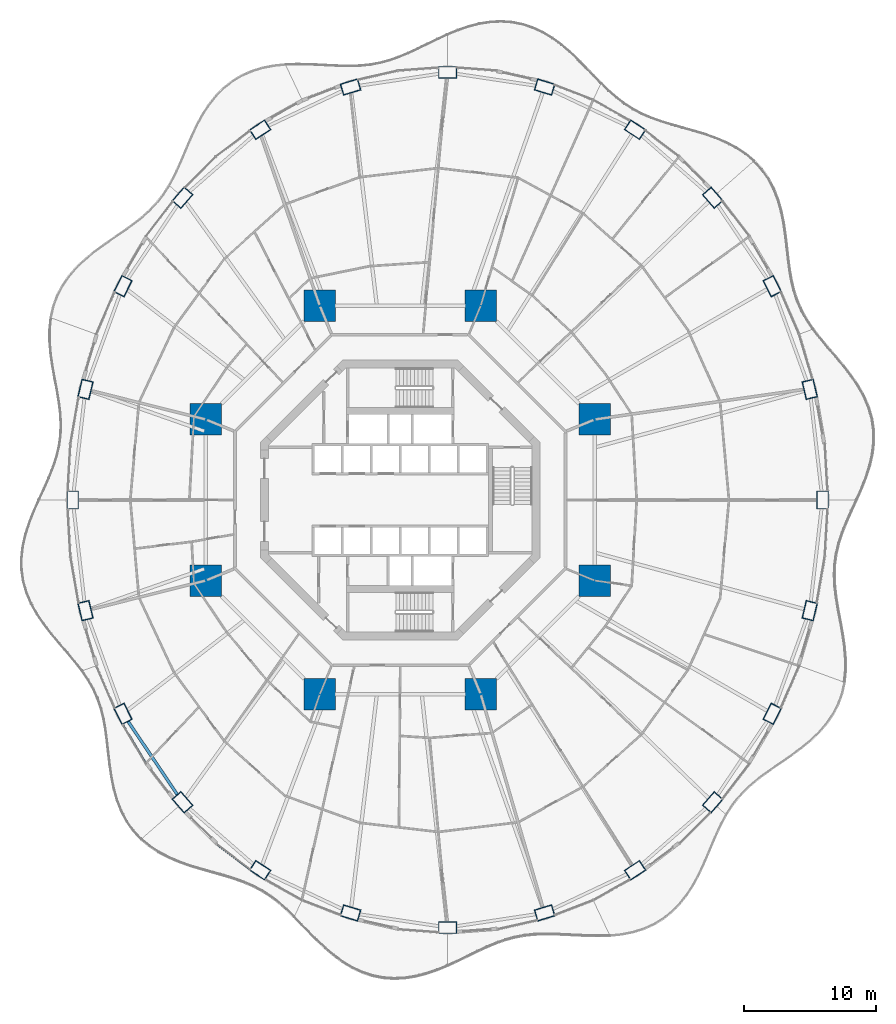
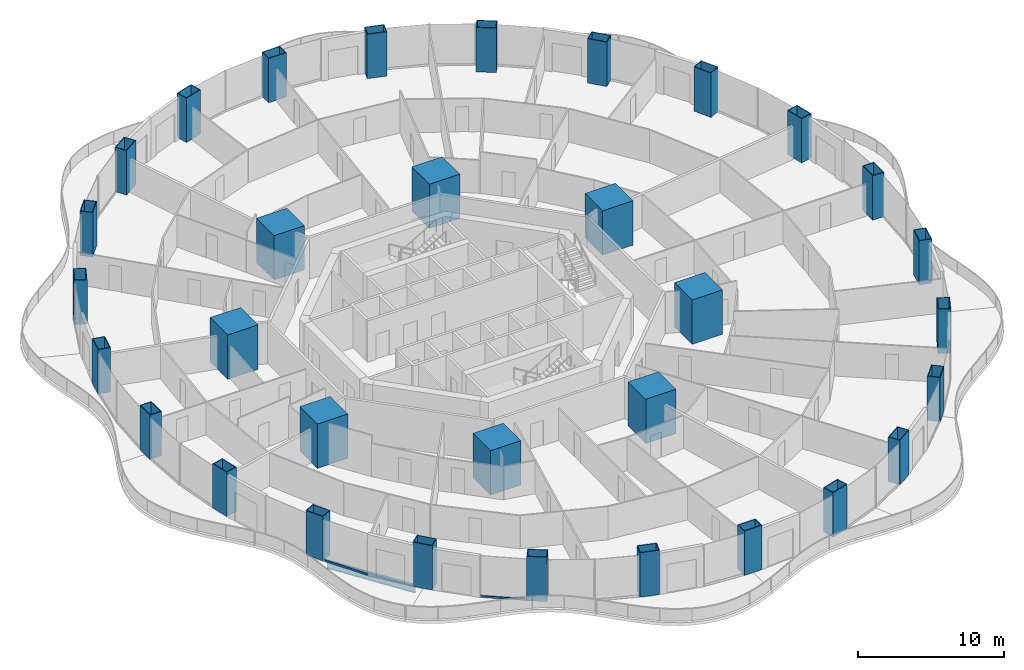
# One storey, part 1 of 22: 32 columns, 2 members, 1 beam, 2 elements without a shape of their own.
"""IFC4 building model written with IfcOpenShell, lengths in metres."""

from ifc_helpers import new_model, si_unit, direction, frame, origin, origin_2d, place, context, subcontext, project, spatial, rectangle, hollow_rectangle, i_section, extrude, material, layer, layer_set, material_profile, profile_set, type_object, element, aggregate, save


model = new_model("IFC4")

# Units and contexts
model_context = context("Model", 3, precision=1e-05, world=origin(), true_north=direction((0.0, 1.0)))
body_context = subcontext(model_context, "Body", "Model", "MODEL_VIEW")
ifc_project = project(units=[si_unit("LENGTHUNIT", "METRE"), si_unit("AREAUNIT", "SQUARE_METRE"), si_unit("VOLUMEUNIT", "CUBIC_METRE"), si_unit("PLANEANGLEUNIT", "RADIAN"), si_unit("MASSUNIT", "GRAM", prefix="KILO")], contexts=[model_context])

# Site, building, storey
site_placement = place(None, origin())
site = spatial("IfcSite", under=ifc_project, at=site_placement, CompositionType="ELEMENT")
building_placement = place(site_placement, origin())
building = spatial("IfcBuilding", under=site, at=building_placement, Name="Nagisa Residences", CompositionType="ELEMENT")
storey_placement = place(building_placement, frame((0.0, 0.0, 49.199951171875)))
storey = spatial("IfcBuildingStorey", under=building, at=storey_placement, Name="L11", CompositionType="ELEMENT", Elevation=49.199951171875)

# Columns
ifc_material_1 = material(Name="Concrete C80", Category="concrete")
ifc_material_profile_1 = material_profile(ifc_material_1, rectangle(XDim=2.39990234375, YDim=2.39990234375, at=origin_2d()), Name="C80 2400x2400")
ifc_profile_set_1 = profile_set([ifc_material_profile_1], Name="Concrete C80")
column_type_1 = type_object("IfcColumnType", Name="Inner megacolumn C80 2400x2400", PredefinedType="COLUMN", material=ifc_profile_set_1)
for number, where, z_axis, x_axis, name in (
    (1, (14.781982421875, 6.123046875, 0.0), (0.0, 0.0, 1.0), (1.0, 0.0, 0.0), "col:L11:i1"),
    (2, (6.123046875, 14.781982421875, 0.0), (0.0, 0.0, 1.0), (1.0, 0.0, 0.0), "col:L11:i2"),
    (3, (-6.123046875, 14.781982421875, 0.0), (0.0, 0.0, 1.0), (1.0, 0.0, 0.0), "col:L11:i3"),
    (4, (-14.781982421875, 6.123046875, 0.0), (0.0, 0.0, 1.0), (1.0, 0.0, 0.0), "col:L11:i4"),
    (5, (-14.781982421875, -6.123046875, 0.0), (0.0, 0.0, 1.0), (1.0, 0.0, 0.0), "col:L11:i5"),
    (6, (-6.123046875, -14.781982421875, 0.0), (0.0, 0.0, 1.0), (1.0, 0.0, 0.0), "col:L11:i6"),
    (7, (6.123046875, -14.781982421875, 0.0), (0.0, 0.0, 1.0), (1.0, 0.0, 0.0), "col:L11:i7"),
    (8, (14.781982421875, -6.123046875, 0.0), (0.0, 0.0, 1.0), (1.0, 0.0, 0.0), "col:L11:i8"),
):
    element("IfcColumn", number, at=place(storey_placement, frame(where, z_axis=z_axis, x_axis=x_axis)), inside=storey, type_object=column_type_1, Name=name, PredefinedType="COLUMN", context=body_context, shape_type="SweptSolid", body=[
        extrude(rectangle(XDim=2.39990234375, YDim=2.39990234375, at=origin_2d()), origin(), (0.0, 0.0, 1.0), 3.699951171875),
    ])
ifc_material_2 = material(Name="Steel ASTM A572 Gr 50", Category="steel")
ifc_material_profile_2 = material_profile(ifc_material_2, hollow_rectangle(XDim=1.39990234375, YDim=0.89990234375, WallThickness=0.050048828125, at=origin_2d()), Name="BX 1400x900x50")
ifc_profile_set_2 = profile_set([ifc_material_profile_2], Name="Steel ASTM A572 Gr 50")
column_type_2 = type_object("IfcColumnType", Name="Perimeter column BX 1400x900x50", PredefinedType="COLUMN", material=ifc_profile_set_2)
for number, where, z_axis, x_axis, name in (
    (9, (32.10009765625, 0.0, 0.0), (0.0, 0.0, 1.0), (0.0, 1.0, 0.0), "col:L11:p00"),
    (10, (31.12890625, 8.41162109375, 0.0), (0.0, 0.0, 1.0), (-0.229202013103, 0.973378876486, 0.0), "col:L11:p01"),
    (11, (28.28173828125, 16.25, 0.0), (0.0, 0.0, 1.0), (-0.452462697578, 0.891783329795, 0.0), "col:L11:p02"),
    (12, (23.75244140625, 22.98095703125, 0.0), (0.0, 0.0, 1.0), (-0.660114607735, 0.751164898445, 0.0), "col:L11:p03"),
    (13, (17.85009765625, 28.145751953125, 0.0), (0.0, 0.0, 1.0), (-0.835766105673, 0.54908561865, 0.0), "col:L11:p04"),
    (14, (10.976318359375, 31.392578125, 0.0), (0.0, 0.0, 1.0), (-0.956524583408, 0.291651712384, 0.0), "col:L11:p05"),
    (15, (3.60009765625, 32.5, 0.0), (0.0, 0.0, 1.0), (-1.0, 0.0, 0.0), "col:L11:p06"),
    (16, (-3.7763671875, 31.392578125, 0.0), (0.0, 0.0, 1.0), (-0.956524583408, -0.291651712384, 0.0), "col:L11:p07"),
    (17, (-10.64990234375, 28.145751953125, 0.0), (0.0, 0.0, 1.0), (-0.835766105673, -0.54908561865, 0.0), "col:L11:p08"),
    (18, (-16.552490234375, 22.98095703125, 0.0), (0.0, 0.0, 1.0), (-0.660114607735, -0.751164898445, 0.0), "col:L11:p09"),
    (19, (-21.081787109375, 16.25, 0.0), (0.0, 0.0, 1.0), (-0.452462697578, -0.891783329795, 0.0), "col:L11:p10"),
    (20, (-23.928955078125, 8.41162109375, 0.0), (0.0, 0.0, 1.0), (-0.229202013103, -0.973378876486, 0.0), "col:L11:p11"),
    (21, (-24.89990234375, 0.0, 0.0), (0.0, 0.0, 1.0), (0.0, -1.0, 0.0), "col:L11:p12"),
    (22, (-23.928955078125, -8.41162109375, 0.0), (0.0, 0.0, 1.0), (0.229202013103, -0.973378876486, 0.0), "col:L11:p13"),
    (23, (-21.081787109375, -16.25, 0.0), (0.0, 0.0, 1.0), (0.452462697578, -0.891783329795, 0.0), "col:L11:p14"),
    (24, (-16.552490234375, -22.98095703125, 0.0), (0.0, 0.0, 1.0), (0.660114607735, -0.751164898445, 0.0), "col:L11:p15"),
    (25, (-10.64990234375, -28.145751953125, 0.0), (0.0, 0.0, 1.0), (0.835766105673, -0.54908561865, 0.0), "col:L11:p16"),
    (26, (-3.7763671875, -31.392578125, 0.0), (0.0, 0.0, 1.0), (0.956524583408, -0.291651712384, 0.0), "col:L11:p17"),
    (27, (3.60009765625, -32.5, 0.0), (0.0, 0.0, 1.0), (1.0, 0.0, 0.0), "col:L11:p18"),
    (28, (10.976318359375, -31.392578125, 0.0), (0.0, 0.0, 1.0), (0.956524583408, 0.291651712384, 0.0), "col:L11:p19"),
    (29, (17.85009765625, -28.145751953125, 0.0), (0.0, 0.0, 1.0), (0.835766105673, 0.54908561865, 0.0), "col:L11:p20"),
    (30, (23.75244140625, -22.98095703125, 0.0), (0.0, 0.0, 1.0), (0.660114607735, 0.751164898445, 0.0), "col:L11:p21"),
    (31, (28.28173828125, -16.25, 0.0), (0.0, 0.0, 1.0), (0.452462697578, 0.891783329795, 0.0), "col:L11:p22"),
    (32, (31.12890625, -8.41162109375, 0.0), (0.0, 0.0, 1.0), (0.229202013103, 0.973378876486, 0.0), "col:L11:p23"),
):
    element("IfcColumn", number, at=place(storey_placement, frame(where, z_axis=z_axis, x_axis=x_axis)), inside=storey, type_object=column_type_2, Name=name, PredefinedType="COLUMN", context=body_context, shape_type="SweptSolid", body=[
        extrude(hollow_rectangle(XDim=1.39990234375, YDim=0.89990234375, WallThickness=0.050048828125, at=origin_2d()), origin(), (0.0, 0.0, 1.0), 3.699951171875),
    ])

# Curtain wall, member
ifc_material_3 = material(Name="Concrete-coloured aluminium curtain wall system", Category="concrete")
ifc_layer = layer(ifc_material_3, 0.159912109375)
ifc_layer_set = layer_set([ifc_layer], Name="CW1 CURTAIN WALL")
curtain_wall_type = type_object("IfcCurtainWallType", Name="CW1 CURTAIN WALL", PredefinedType="NOTDEFINED", material=ifc_layer_set)
curtain_wall_1_placement = place(storey_placement, origin())
curtain_wall_1 = element("IfcCurtainWall", 33, at=curtain_wall_1_placement, inside=storey, type_object=curtain_wall_type, Name="cw:CW1:L11:28", PredefinedType="NOTDEFINED")
ifc_material_4 = material(Name="Concrete-coloured aluminium", Category="concrete")
ifc_material_profile_3 = material_profile(ifc_material_4, rectangle(XDim=0.1201171875, YDim=0.14990234375, at=origin_2d()), Name="CW1 TRANSOM 120x150")
ifc_profile_set_3 = profile_set([ifc_material_profile_3], Name="Concrete-coloured aluminium")
member_type = type_object("IfcMemberType", Name="CW1 TRANSOM 120x150", PredefinedType="USERDEFINED", material=ifc_profile_set_3)
member_1_placement = place(storey_placement, frame((-21.09130859375, -17.063232421875, 0.074951171875), z_axis=(0.506341951316, -0.862332782827, 0.0), x_axis=(0.862332782827, 0.506341951316, 0.0)))
member_1 = element("IfcMember", 34, at=member_1_placement, type_object=member_type, Name="CW1 transom", ObjectType="TRANSOM", PredefinedType="USERDEFINED", context=body_context, shape_type="SweptSolid", body=[
    extrude(rectangle(XDim=0.1201171875, YDim=0.14990234375, at=origin_2d()), origin(), (0.0, 0.0, 1.0), 3.4619140625),
])
aggregate(curtain_wall_1, [member_1])

curtain_wall_2_placement = place(storey_placement, origin())
curtain_wall_2 = element("IfcCurtainWall", 35, at=curtain_wall_2_placement, inside=storey, type_object=curtain_wall_type, Name="cw:CW1:L11:31", PredefinedType="NOTDEFINED")
member_2_placement = place(storey_placement, frame((-14.005615234375, -26.116943359375, 0.074951171875), z_axis=(0.796022293214, -0.605267303517, 0.0), x_axis=(0.605267303517, 0.796022293214, 0.0)))
member_2 = element("IfcMember", 36, at=member_2_placement, type_object=member_type, Name="CW1 transom", ObjectType="TRANSOM", PredefinedType="USERDEFINED", context=body_context, shape_type="SweptSolid", body=[
    extrude(rectangle(XDim=0.1201171875, YDim=0.14990234375, at=origin_2d()), origin(), (0.0, 0.0, 1.0), 3.262451171875),
])
aggregate(curtain_wall_2, [member_2])

# Beam
ifc_material_5 = material(Name="Steel ASTM A572 Gr 50", Category="steel")
ifc_material_profile_4 = material_profile(ifc_material_5, i_section(OverallWidth=0.22802734375, OverallDepth=0.60302734375, WebThickness=0.010498046875, FlangeThickness=0.014892578125, at=origin_2d()), Name="W610x101")
ifc_profile_set_4 = profile_set([ifc_material_profile_4], Name="Steel ASTM A572 Gr 50")
beam_type = type_object("IfcBeamType", Name="Perimeter ring beam W610x101", PredefinedType="BEAM", material=ifc_profile_set_4)
beam_placement = place(storey_placement, frame((-20.69921875, -16.818603515625, -0.5615234375), z_axis=(0.558296806041, -0.829641293792, 0.0), x_axis=(0.829641293792, 0.558296806041, 0.0)))
element("IfcBeam", 37, at=beam_placement, inside=storey, type_object=beam_type, Name="beam:L11:pb15", PredefinedType="BEAM", context=body_context, shape_type="SweptSolid", body=[
    extrude(i_section(OverallWidth=0.22802734375, OverallDepth=0.60302734375, WebThickness=0.010498046875, FlangeThickness=0.014892578125, at=origin_2d()), origin(), (0.0, 0.0, 1.0), 6.74169921875),
])

save(model, "model.ifc")
